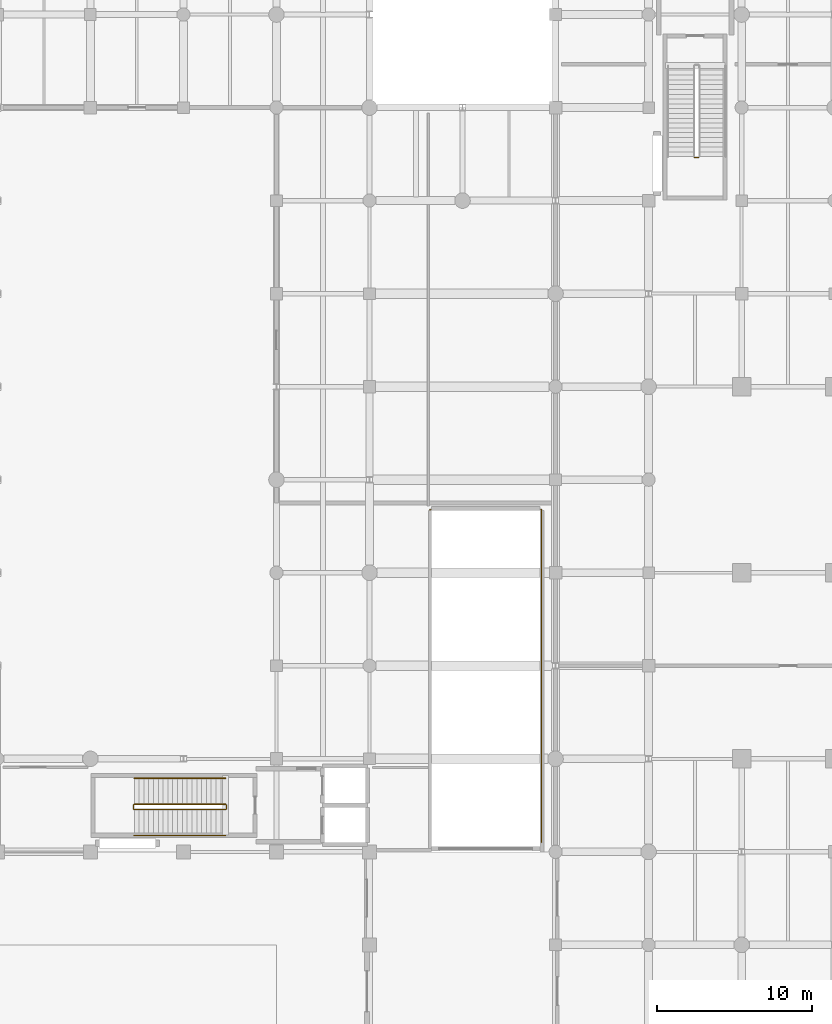
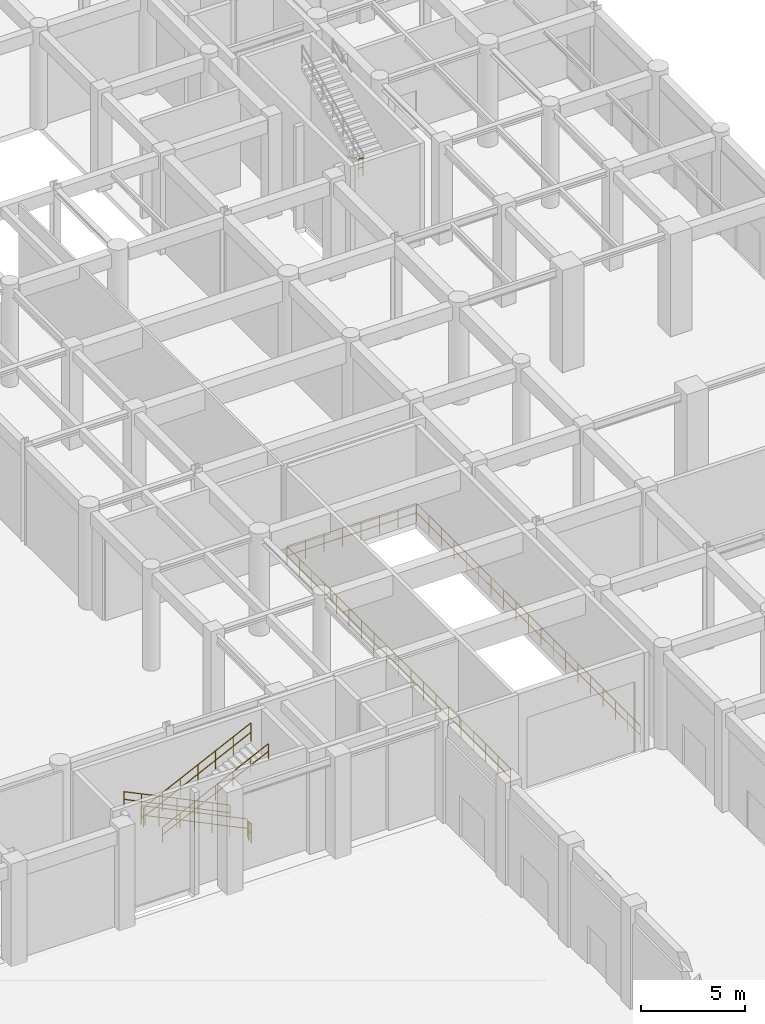
# One storey, part 105 of 106: 8 railings.
"""IFC4 building model written with IfcOpenShell, lengths in metres."""

from ifc_helpers import new_model, si_unit, direction, frame, origin, origin_2d, place, context, subcontext, project, spatial, circle, extrude, material, type_object, element, save


model = new_model("IFC4")

# Units and contexts
model_context = context("Model", 3, precision=1e-05, world=origin(), true_north=direction((0.0, 1.0)))
body_context = subcontext(model_context, "Body", "Model", "MODEL_VIEW")
ifc_project = project(units=[si_unit("LENGTHUNIT", "METRE"), si_unit("AREAUNIT", "SQUARE_METRE"), si_unit("VOLUMEUNIT", "CUBIC_METRE"), si_unit("PLANEANGLEUNIT", "RADIAN"), si_unit("MASSUNIT", "GRAM", prefix="KILO"), si_unit("THERMODYNAMICTEMPERATUREUNIT", "KELVIN"), si_unit("POWERUNIT", "WATT")], contexts=[model_context])

# Site, building, storey
site_placement = place(None, origin())
site = spatial("IfcSite", under=ifc_project, at=site_placement, CompositionType="ELEMENT")
building_placement = place(site_placement, origin())
building = spatial("IfcBuilding", under=site, at=building_placement, Name="Phaisarnlok Congress Hotel", CompositionType="ELEMENT")
storey_placement = place(building_placement, origin())
storey = spatial("IfcBuildingStorey", under=building, at=storey_placement, Name="L00", CompositionType="ELEMENT", Elevation=0.0)

# Railings
ifc_material_1 = material(Name="Laminated Glass & Stainless Steel Grade 316", Category="steel")
railing_type_1 = type_object("IfcRailingType", Name="RLG-INT-1100", PredefinedType="BALUSTRADE", material=ifc_material_1)
railing_1_placement = place(storey_placement, frame((147.89990234375, 36.60009765625, 0.0)))
element("IfcRailing", 1, at=railing_1_placement, inside=storey, type_object=railing_type_1, Name="Atrium gallery guard balustrade GD-02 (L00 v4_e)", PredefinedType="BALUSTRADE", context=body_context, shape_type="SweptSolid", body=[
    extrude(circle(Radius=0.02392578125, at=origin_2d()), frame((0.0, 0.0, 1.076171875), z_axis=(0.0, 1.0, 0.0), x_axis=(-1.0, 0.0, 0.0)), (0.0, 0.0, 1.0), 21.5),
    extrude(circle(Radius=0.02392578125, at=origin_2d()), frame((0.0, 0.0, 0.52587890625), z_axis=(0.0, 1.0, 0.0), x_axis=(-1.0, 0.0, 0.0)), (0.0, 0.0, 1.0), 21.5),
    extrude(circle(Radius=0.02392578125, at=origin_2d()), frame((0.0, 21.5, 1.076171875), z_axis=(1.0, 0.0, 0.0), x_axis=(0.0, 1.0, 0.0)), (0.0, 0.0, 1.0), 7.2001953125),
    extrude(circle(Radius=0.02392578125, at=origin_2d()), frame((0.0, 21.5, 0.52587890625), z_axis=(1.0, 0.0, 0.0), x_axis=(0.0, 1.0, 0.0)), (0.0, 0.0, 1.0), 7.2001953125),
    extrude(circle(Radius=0.02392578125, at=origin_2d()), frame((7.2001953125, 21.5, 1.076171875), z_axis=(0.0, -1.0, 0.0), x_axis=(1.0, 0.0, 0.0)), (0.0, 0.0, 1.0), 21.5),
    extrude(circle(Radius=0.02392578125, at=origin_2d()), frame((7.2001953125, 21.5, 0.52587890625), z_axis=(0.0, -1.0, 0.0), x_axis=(1.0, 0.0, 0.0)), (0.0, 0.0, 1.0), 21.5),
    extrude(circle(Radius=0.02099609375, at=origin_2d()), origin(), (0.0, 0.0, 1.0), 1.052001953125),
    extrude(circle(Radius=0.02099609375, at=origin_2d()), frame((0.0, 1.1943359375, 0.0)), (0.0, 0.0, 1.0), 1.052001953125),
    extrude(circle(Radius=0.02099609375, at=origin_2d()), frame((0.0, 2.388916015625, 0.0)), (0.0, 0.0, 1.0), 1.052001953125),
    extrude(circle(Radius=0.02099609375, at=origin_2d()), frame((0.0, 3.583251953125, 0.0)), (0.0, 0.0, 1.0), 1.052001953125),
    extrude(circle(Radius=0.02099609375, at=origin_2d()), frame((0.0, 4.77783203125, 0.0)), (0.0, 0.0, 1.0), 1.052001953125),
    extrude(circle(Radius=0.02099609375, at=origin_2d()), frame((0.0, 5.97216796875, 0.0)), (0.0, 0.0, 1.0), 1.052001953125),
    extrude(circle(Radius=0.02099609375, at=origin_2d()), frame((0.0, 7.166748046875, 0.0)), (0.0, 0.0, 1.0), 1.052001953125),
    extrude(circle(Radius=0.02099609375, at=origin_2d()), frame((0.0, 8.361083984375, 0.0)), (0.0, 0.0, 1.0), 1.052001953125),
    extrude(circle(Radius=0.02099609375, at=origin_2d()), frame((0.0, 9.5556640625, 0.0)), (0.0, 0.0, 1.0), 1.052001953125),
    extrude(circle(Radius=0.02099609375, at=origin_2d()), frame((0.0, 10.75, 0.0)), (0.0, 0.0, 1.0), 1.052001953125),
    extrude(circle(Radius=0.02099609375, at=origin_2d()), frame((0.0, 11.9443359375, 0.0)), (0.0, 0.0, 1.0), 1.052001953125),
    extrude(circle(Radius=0.02099609375, at=origin_2d()), frame((0.0, 13.138916015625, 0.0)), (0.0, 0.0, 1.0), 1.052001953125),
    extrude(circle(Radius=0.02099609375, at=origin_2d()), frame((0.0, 14.333251953125, 0.0)), (0.0, 0.0, 1.0), 1.052001953125),
    extrude(circle(Radius=0.02099609375, at=origin_2d()), frame((0.0, 15.52783203125, 0.0)), (0.0, 0.0, 1.0), 1.052001953125),
    extrude(circle(Radius=0.02099609375, at=origin_2d()), frame((0.0, 16.72216796875, 0.0)), (0.0, 0.0, 1.0), 1.052001953125),
    extrude(circle(Radius=0.02099609375, at=origin_2d()), frame((0.0, 17.916748046875, 0.0)), (0.0, 0.0, 1.0), 1.052001953125),
    extrude(circle(Radius=0.02099609375, at=origin_2d()), frame((0.0, 19.111083984375, 0.0)), (0.0, 0.0, 1.0), 1.052001953125),
    extrude(circle(Radius=0.02099609375, at=origin_2d()), frame((0.0, 20.3056640625, 0.0)), (0.0, 0.0, 1.0), 1.052001953125),
    extrude(circle(Radius=0.02099609375, at=origin_2d()), frame((0.0, 21.5, 0.0)), (0.0, 0.0, 1.0), 1.052001953125),
    extrude(circle(Radius=0.02099609375, at=origin_2d()), frame((1.028564453125, 21.5, 0.0)), (0.0, 0.0, 1.0), 1.052001953125),
    extrude(circle(Radius=0.02099609375, at=origin_2d()), frame((2.05712890625, 21.5, 0.0)), (0.0, 0.0, 1.0), 1.052001953125),
    extrude(circle(Radius=0.02099609375, at=origin_2d()), frame((3.085693359375, 21.5, 0.0)), (0.0, 0.0, 1.0), 1.052001953125),
    extrude(circle(Radius=0.02099609375, at=origin_2d()), frame((4.114501953125, 21.5, 0.0)), (0.0, 0.0, 1.0), 1.052001953125),
    extrude(circle(Radius=0.02099609375, at=origin_2d()), frame((5.14306640625, 21.5, 0.0)), (0.0, 0.0, 1.0), 1.052001953125),
    extrude(circle(Radius=0.02099609375, at=origin_2d()), frame((6.171630859375, 21.5, 0.0)), (0.0, 0.0, 1.0), 1.052001953125),
    extrude(circle(Radius=0.02099609375, at=origin_2d()), frame((7.2001953125, 21.5, 0.0)), (0.0, 0.0, 1.0), 1.052001953125),
    extrude(circle(Radius=0.02099609375, at=origin_2d()), frame((7.2001953125, 20.3056640625, 0.0)), (0.0, 0.0, 1.0), 1.052001953125),
    extrude(circle(Radius=0.02099609375, at=origin_2d()), frame((7.2001953125, 19.111083984375, 0.0)), (0.0, 0.0, 1.0), 1.052001953125),
    extrude(circle(Radius=0.02099609375, at=origin_2d()), frame((7.2001953125, 17.916748046875, 0.0)), (0.0, 0.0, 1.0), 1.052001953125),
    extrude(circle(Radius=0.02099609375, at=origin_2d()), frame((7.2001953125, 16.72216796875, 0.0)), (0.0, 0.0, 1.0), 1.052001953125),
    extrude(circle(Radius=0.02099609375, at=origin_2d()), frame((7.2001953125, 15.52783203125, 0.0)), (0.0, 0.0, 1.0), 1.052001953125),
    extrude(circle(Radius=0.02099609375, at=origin_2d()), frame((7.2001953125, 14.333251953125, 0.0)), (0.0, 0.0, 1.0), 1.052001953125),
    extrude(circle(Radius=0.02099609375, at=origin_2d()), frame((7.2001953125, 13.138916015625, 0.0)), (0.0, 0.0, 1.0), 1.052001953125),
    extrude(circle(Radius=0.02099609375, at=origin_2d()), frame((7.2001953125, 11.9443359375, 0.0)), (0.0, 0.0, 1.0), 1.052001953125),
    extrude(circle(Radius=0.02099609375, at=origin_2d()), frame((7.2001953125, 10.75, 0.0)), (0.0, 0.0, 1.0), 1.052001953125),
    extrude(circle(Radius=0.02099609375, at=origin_2d()), frame((7.2001953125, 9.5556640625, 0.0)), (0.0, 0.0, 1.0), 1.052001953125),
    extrude(circle(Radius=0.02099609375, at=origin_2d()), frame((7.2001953125, 8.361083984375, 0.0)), (0.0, 0.0, 1.0), 1.052001953125),
    extrude(circle(Radius=0.02099609375, at=origin_2d()), frame((7.2001953125, 7.166748046875, 0.0)), (0.0, 0.0, 1.0), 1.052001953125),
    extrude(circle(Radius=0.02099609375, at=origin_2d()), frame((7.2001953125, 5.97216796875, 0.0)), (0.0, 0.0, 1.0), 1.052001953125),
    extrude(circle(Radius=0.02099609375, at=origin_2d()), frame((7.2001953125, 4.77783203125, 0.0)), (0.0, 0.0, 1.0), 1.052001953125),
    extrude(circle(Radius=0.02099609375, at=origin_2d()), frame((7.2001953125, 3.583251953125, 0.0)), (0.0, 0.0, 1.0), 1.052001953125),
    extrude(circle(Radius=0.02099609375, at=origin_2d()), frame((7.2001953125, 2.388916015625, 0.0)), (0.0, 0.0, 1.0), 1.052001953125),
    extrude(circle(Radius=0.02099609375, at=origin_2d()), frame((7.2001953125, 1.1943359375, 0.0)), (0.0, 0.0, 1.0), 1.052001953125),
    extrude(circle(Radius=0.02099609375, at=origin_2d()), frame((7.2001953125, 0.0, 0.0)), (0.0, 0.0, 1.0), 1.052001953125),
])
ifc_material_2 = material(Name="Painted Galvanised Steel S275", Category="steel")
railing_type_2 = type_object("IfcRailingType", Name="RLG-STR-GUARD", PredefinedType="BALUSTRADE", material=ifc_material_2)
railing_2_placement = place(storey_placement, frame((134.719970703125, 39.070068359375, 0.14990234375)))
element("IfcRailing", 2, at=railing_2_placement, inside=storey, type_object=railing_type_2, Name="L00 ST-02 stair guard 1", PredefinedType="BALUSTRADE", context=body_context, shape_type="SweptSolid", body=[
    extrude(circle(Radius=0.02392578125, at=origin_2d()), frame((0.0, 0.0, 1.076171875), z_axis=(-0.900150285036, 0.0, 0.435579458135), x_axis=(0.0, -1.0, 0.0)), (0.0, 0.0, 1.0), 6.543212890625),
    extrude(circle(Radius=0.02392578125, at=origin_2d()), frame((0.0, 0.0, 0.52587890625), z_axis=(-0.900150285036, 0.0, 0.435579458135), x_axis=(0.0, -1.0, 0.0)), (0.0, 0.0, 1.0), 6.543212890625),
    extrude(circle(Radius=0.02099609375, at=origin_2d()), origin(), (0.0, 0.0, 1.0), 1.052001953125),
    extrude(circle(Radius=0.02099609375, at=origin_2d()), frame((-0.981689453125, 0.0, 0.47509765625)), (0.0, 0.0, 1.0), 1.052001953125),
    extrude(circle(Radius=0.02099609375, at=origin_2d()), frame((-1.96337890625, 0.0, 0.949951171875)), (0.0, 0.0, 1.0), 1.052001953125),
    extrude(circle(Radius=0.02099609375, at=origin_2d()), frame((-2.94482421875, 0.0, 1.425048828125)), (0.0, 0.0, 1.0), 1.052001953125),
    extrude(circle(Radius=0.02099609375, at=origin_2d()), frame((-3.926513671875, 0.0, 1.900146484375)), (0.0, 0.0, 1.0), 1.052001953125),
    extrude(circle(Radius=0.02099609375, at=origin_2d()), frame((-4.908203125, 0.0, 2.375)), (0.0, 0.0, 1.0), 1.052001953125),
    extrude(circle(Radius=0.02099609375, at=origin_2d()), frame((-5.889892578125, 0.0, 2.85009765625)), (0.0, 0.0, 1.0), 1.052001953125),
])
railing_3_placement = place(storey_placement, frame((128.780029296875, 39.02001953125, 3.0)))
element("IfcRailing", 3, at=railing_3_placement, inside=storey, type_object=railing_type_2, Name="L00 ST-02 stair guard 2", PredefinedType="BALUSTRADE", context=body_context, shape_type="SweptSolid", body=[
    extrude(circle(Radius=0.02392578125, at=origin_2d()), frame((0.0, 0.0, 1.076171875), z_axis=(0.0, -1.0, 0.0), x_axis=(1.0, 0.0, 0.0)), (0.0, 0.0, 1.0), 0.239990234375),
    extrude(circle(Radius=0.02392578125, at=origin_2d()), frame((0.0, 0.0, 0.52587890625), z_axis=(0.0, -1.0, 0.0), x_axis=(1.0, 0.0, 0.0)), (0.0, 0.0, 1.0), 0.239990234375),
    extrude(circle(Radius=0.02099609375, at=origin_2d()), origin(), (0.0, 0.0, 1.0), 1.052001953125),
    extrude(circle(Radius=0.02099609375, at=origin_2d()), frame((0.0, -0.239990234375, 0.0)), (0.0, 0.0, 1.0), 1.052001953125),
])
railing_4_placement = place(storey_placement, frame((128.830078125, 38.72998046875, 3.14990234375)))
element("IfcRailing", 4, at=railing_4_placement, inside=storey, type_object=railing_type_2, Name="L00 ST-02 stair guard 3", PredefinedType="BALUSTRADE", context=body_context, shape_type="SweptSolid", body=[
    extrude(circle(Radius=0.02392578125, at=origin_2d()), frame((0.0, 0.0, 1.076171875), z_axis=(0.900150285036, 0.0, 0.435579458135), x_axis=(0.0, 1.0, 0.0)), (0.0, 0.0, 1.0), 6.543212890625),
    extrude(circle(Radius=0.02392578125, at=origin_2d()), frame((0.0, 0.0, 0.52587890625), z_axis=(0.900150285036, 0.0, 0.435579458135), x_axis=(0.0, 1.0, 0.0)), (0.0, 0.0, 1.0), 6.543212890625),
    extrude(circle(Radius=0.02099609375, at=origin_2d()), origin(), (0.0, 0.0, 1.0), 1.052001953125),
    extrude(circle(Radius=0.02099609375, at=origin_2d()), frame((0.981689453125, 0.0, 0.47509765625)), (0.0, 0.0, 1.0), 1.052001953125),
    extrude(circle(Radius=0.02099609375, at=origin_2d()), frame((1.96337890625, 0.0, 0.949951171875)), (0.0, 0.0, 1.0), 1.052001953125),
    extrude(circle(Radius=0.02099609375, at=origin_2d()), frame((2.94482421875, 0.0, 1.425048828125)), (0.0, 0.0, 1.0), 1.052001953125),
    extrude(circle(Radius=0.02099609375, at=origin_2d()), frame((3.926513671875, 0.0, 1.900146484375)), (0.0, 0.0, 1.0), 1.052001953125),
    extrude(circle(Radius=0.02099609375, at=origin_2d()), frame((4.908203125, 0.0, 2.375)), (0.0, 0.0, 1.0), 1.052001953125),
    extrude(circle(Radius=0.02099609375, at=origin_2d()), frame((5.889892578125, 0.0, 2.85009765625)), (0.0, 0.0, 1.0), 1.052001953125),
])
railing_5_placement = place(storey_placement, frame((134.77001953125, 39.02001953125, 0.0)))
element("IfcRailing", 5, at=railing_5_placement, inside=storey, type_object=railing_type_2, Name="L00 ST-02 stair guard 4", PredefinedType="BALUSTRADE", context=body_context, shape_type="SweptSolid", body=[
    extrude(circle(Radius=0.02392578125, at=origin_2d()), frame((0.0, 0.0, 1.076171875), z_axis=(0.0, -1.0, 0.0), x_axis=(1.0, 0.0, 0.0)), (0.0, 0.0, 1.0), 0.239990234375),
    extrude(circle(Radius=0.02392578125, at=origin_2d()), frame((0.0, 0.0, 0.52587890625), z_axis=(0.0, -1.0, 0.0), x_axis=(1.0, 0.0, 0.0)), (0.0, 0.0, 1.0), 0.239990234375),
    extrude(circle(Radius=0.02099609375, at=origin_2d()), origin(), (0.0, 0.0, 1.0), 1.052001953125),
    extrude(circle(Radius=0.02099609375, at=origin_2d()), frame((0.0, -0.239990234375, 0.0)), (0.0, 0.0, 1.0), 1.052001953125),
])
railing_6_placement = place(storey_placement, frame((164.97998046875, 80.780029296875, 3.0)))
element("IfcRailing", 6, at=railing_6_placement, inside=storey, type_object=railing_type_2, Name="L00 ST-09 stair guard 2", PredefinedType="BALUSTRADE", context=body_context, shape_type="SweptSolid", body=[
    extrude(circle(Radius=0.02392578125, at=origin_2d()), frame((0.0, 0.0, 1.076171875), z_axis=(1.0, 0.0, 0.0), x_axis=(0.0, 1.0, 0.0)), (0.0, 0.0, 1.0), 0.239990234375),
    extrude(circle(Radius=0.02392578125, at=origin_2d()), frame((0.0, 0.0, 0.52587890625), z_axis=(1.0, 0.0, 0.0), x_axis=(0.0, 1.0, 0.0)), (0.0, 0.0, 1.0), 0.239990234375),
    extrude(circle(Radius=0.02099609375, at=origin_2d()), origin(), (0.0, 0.0, 1.0), 1.052001953125),
    extrude(circle(Radius=0.02099609375, at=origin_2d()), frame((0.239990234375, 0.0, 0.0)), (0.0, 0.0, 1.0), 1.052001953125),
])
ifc_material_3 = material(Name="Brushed Stainless Steel Grade 304", Category="steel")
railing_type_3 = type_object("IfcRailingType", Name="RLG-STR-HRAIL", PredefinedType="HANDRAIL", material=ifc_material_3)
railing_7_placement = place(storey_placement, frame((134.719970703125, 40.75, 0.14990234375)))
element("IfcRailing", 7, at=railing_7_placement, inside=storey, type_object=railing_type_3, Name="L00 ST-02 stair handrail 1", PredefinedType="HANDRAIL", context=body_context, shape_type="SweptSolid", body=[
    extrude(circle(Radius=0.02392578125, at=origin_2d()), frame((0.0, 0.0, 0.8759765625), z_axis=(-0.900150285036, 0.0, 0.435579458135), x_axis=(0.0, -1.0, 0.0)), (0.0, 0.0, 1.0), 6.543212890625),
    extrude(circle(Radius=0.02392578125, at=origin_2d()), frame((0.0, 0.0, 0.42578125), z_axis=(-0.900150285036, 0.0, 0.435579458135), x_axis=(0.0, -1.0, 0.0)), (0.0, 0.0, 1.0), 6.543212890625),
    extrude(circle(Radius=0.02099609375, at=origin_2d()), origin(), (0.0, 0.0, 1.0), 0.851806640625),
    extrude(circle(Radius=0.02099609375, at=origin_2d()), frame((-0.981689453125, 0.0, 0.47509765625)), (0.0, 0.0, 1.0), 0.851806640625),
    extrude(circle(Radius=0.02099609375, at=origin_2d()), frame((-1.96337890625, 0.0, 0.949951171875)), (0.0, 0.0, 1.0), 0.851806640625),
    extrude(circle(Radius=0.02099609375, at=origin_2d()), frame((-2.94482421875, 0.0, 1.425048828125)), (0.0, 0.0, 1.0), 0.851806640625),
    extrude(circle(Radius=0.02099609375, at=origin_2d()), frame((-3.926513671875, 0.0, 1.900146484375)), (0.0, 0.0, 1.0), 0.851806640625),
    extrude(circle(Radius=0.02099609375, at=origin_2d()), frame((-4.908203125, 0.0, 2.375)), (0.0, 0.0, 1.0), 0.851806640625),
    extrude(circle(Radius=0.02099609375, at=origin_2d()), frame((-5.889892578125, 0.0, 2.85009765625)), (0.0, 0.0, 1.0), 0.851806640625),
])
railing_8_placement = place(storey_placement, frame((128.830078125, 37.050048828125, 3.14990234375)))
element("IfcRailing", 8, at=railing_8_placement, inside=storey, type_object=railing_type_3, Name="L00 ST-02 stair handrail 2", PredefinedType="HANDRAIL", context=body_context, shape_type="SweptSolid", body=[
    extrude(circle(Radius=0.02392578125, at=origin_2d()), frame((0.0, 0.0, 0.8759765625), z_axis=(0.900150285036, 0.0, 0.435579458135), x_axis=(0.0, 1.0, 0.0)), (0.0, 0.0, 1.0), 6.543212890625),
    extrude(circle(Radius=0.02392578125, at=origin_2d()), frame((0.0, 0.0, 0.42578125), z_axis=(0.900150285036, 0.0, 0.435579458135), x_axis=(0.0, 1.0, 0.0)), (0.0, 0.0, 1.0), 6.543212890625),
    extrude(circle(Radius=0.02099609375, at=origin_2d()), origin(), (0.0, 0.0, 1.0), 0.851806640625),
    extrude(circle(Radius=0.02099609375, at=origin_2d()), frame((0.981689453125, 0.0, 0.47509765625)), (0.0, 0.0, 1.0), 0.851806640625),
    extrude(circle(Radius=0.02099609375, at=origin_2d()), frame((1.96337890625, 0.0, 0.949951171875)), (0.0, 0.0, 1.0), 0.851806640625),
    extrude(circle(Radius=0.02099609375, at=origin_2d()), frame((2.94482421875, 0.0, 1.425048828125)), (0.0, 0.0, 1.0), 0.851806640625),
    extrude(circle(Radius=0.02099609375, at=origin_2d()), frame((3.926513671875, 0.0, 1.900146484375)), (0.0, 0.0, 1.0), 0.851806640625),
    extrude(circle(Radius=0.02099609375, at=origin_2d()), frame((4.908203125, 0.0, 2.375)), (0.0, 0.0, 1.0), 0.851806640625),
    extrude(circle(Radius=0.02099609375, at=origin_2d()), frame((5.889892578125, 0.0, 2.85009765625)), (0.0, 0.0, 1.0), 0.851806640625),
])

save(model, "model.ifc")
